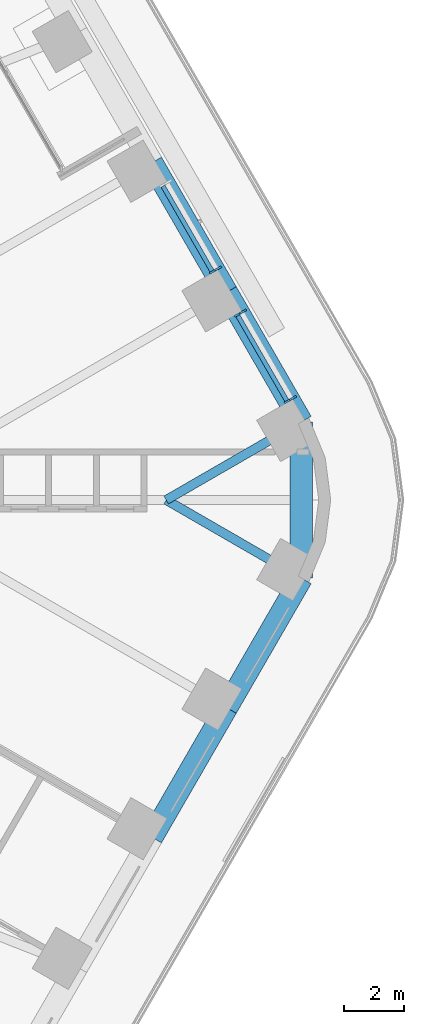
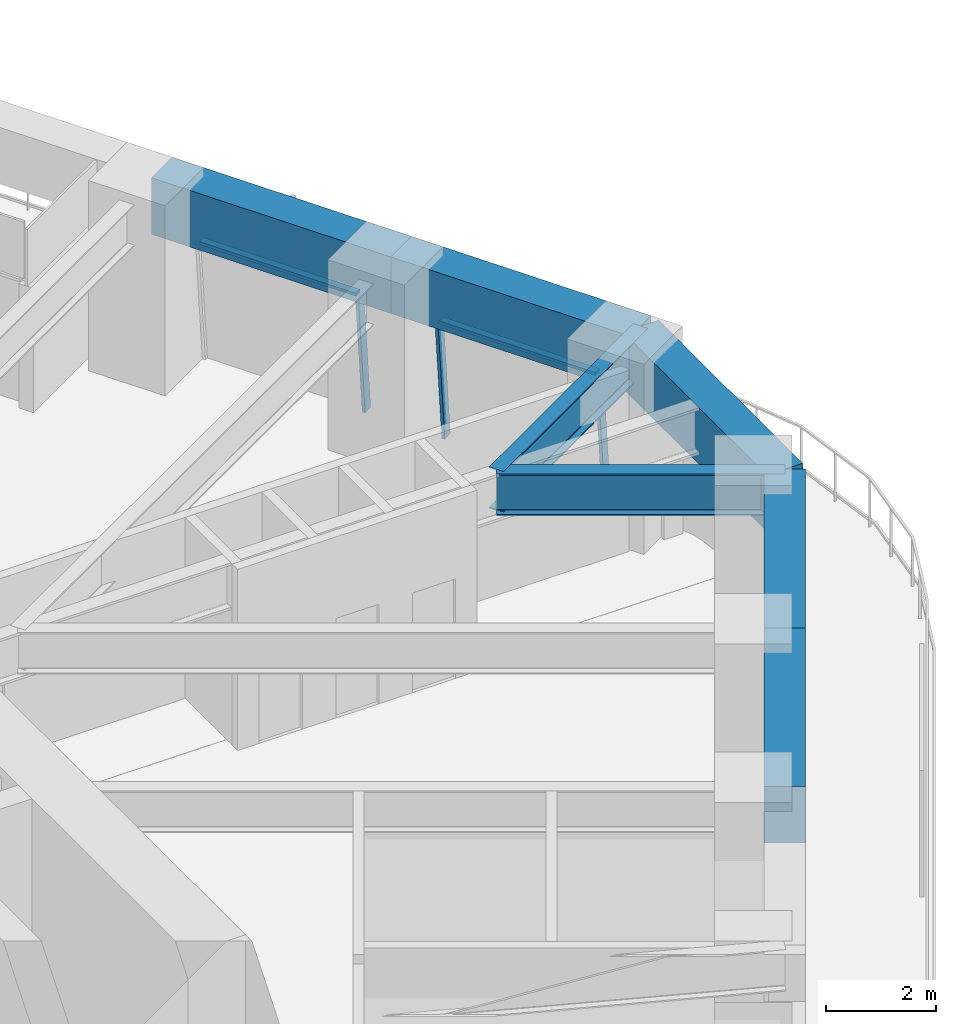
# One storey, part 14 of 24: 7 beams, 5 members, 2 elements without a shape of their own.
"""IFC4 building model written with IfcOpenShell, lengths in metres."""

from ifc_helpers import new_model, si_unit, direction, frame, origin, origin_2d, place, context, subcontext, project, spatial, rectangle, i_section, extrude, material, material_profile, profile_set, type_object, element, aggregate, save


model = new_model("IFC4")

# Units and contexts
model_context = context("Model", 3, precision=1e-05, world=origin(), true_north=direction((0.0, 1.0)))
body_context = subcontext(model_context, "Body", "Model", "MODEL_VIEW")
ifc_project = project(units=[si_unit("LENGTHUNIT", "METRE"), si_unit("AREAUNIT", "SQUARE_METRE"), si_unit("VOLUMEUNIT", "CUBIC_METRE"), si_unit("PLANEANGLEUNIT", "RADIAN"), si_unit("MASSUNIT", "GRAM", prefix="KILO")], contexts=[model_context])

# Site, building, storey
site_placement = place(None, origin())
site = spatial("IfcSite", under=ifc_project, at=site_placement, CompositionType="ELEMENT")
building_placement = place(site_placement, origin())
building = spatial("IfcBuilding", under=site, at=building_placement, Name="Tarfa Lantern Tower", CompositionType="ELEMENT")
storey_placement = place(building_placement, frame((0.0, 0.0, 169.89990234375)))
storey = spatial("IfcBuildingStorey", under=building, at=storey_placement, Name="L38", CompositionType="ELEMENT", Elevation=169.89990234375)

# Curtain wall, members
ifc_material_1 = material(Name="Aluminium framed curtain wall", Category="aluminium")
curtain_wall_type = type_object("IfcCurtainWallType", Name="CW2 CANTED GLAZING MID ZONE 2750", PredefinedType="USERDEFINED", material=ifc_material_1)
curtain_wall_1_placement = place(storey_placement, origin())
curtain_wall_1 = element("IfcCurtainWall", 1, at=curtain_wall_1_placement, inside=storey, type_object=curtain_wall_type, Name="CW2 NE L38", ObjectType="CURTAIN WALL", PredefinedType="USERDEFINED")
ifc_material_2 = material(Name="Aluminium mullion", Category="aluminium")
ifc_material_profile_1 = material_profile(ifc_material_2, rectangle(XDim=0.06494140625, YDim=0.199951171875, at=origin_2d()), Name="AL MULLION 65x200")
ifc_profile_set_1 = profile_set([ifc_material_profile_1], Name="Aluminium mullion")
member_type_1 = type_object("IfcMemberType", Name="CWM1 MULLION 65x200", PredefinedType="MULLION", material=ifc_profile_set_1)
member_1_placement = place(storey_placement, frame((34.282470703125, 3.4208984375, 0.0), z_axis=(-0.078422950161, -0.045267813396, 0.995891894715), x_axis=(0.499919672301, -0.866071776036, 0.0)))
member_1 = element("IfcMember", 2, at=member_1_placement, type_object=member_type_1, Name="CW2 mullion 1", PredefinedType="MULLION", context=body_context, shape_type="SweptSolid", body=[
    extrude(rectangle(XDim=0.06494140625, YDim=0.199951171875, at=origin_2d()), origin(), (0.0, 0.0, 1.0), 2.76123046875),
])
member_2_placement = place(storey_placement, frame((32.613037109375, 6.312255859375, 0.0), z_axis=(-0.078335079308, -0.045268127094, 0.995898796073), x_axis=(0.500342721131, -0.865827443207, 0.0)))
member_2 = element("IfcMember", 3, at=member_2_placement, type_object=member_type_1, Name="CW2 mullion 2", PredefinedType="MULLION", context=body_context, shape_type="SweptSolid", body=[
    extrude(rectangle(XDim=0.06494140625, YDim=0.199951171875, at=origin_2d()), origin(), (0.0, 0.0, 1.0), 2.76123046875),
])

# Curtain wall, member
curtain_wall_2_placement = place(storey_placement, origin())
curtain_wall_2 = element("IfcCurtainWall", 4, at=curtain_wall_2_placement, inside=storey, type_object=curtain_wall_type, Name="CW2 NE L38", ObjectType="CURTAIN WALL", PredefinedType="USERDEFINED")
member_3_placement = place(storey_placement, frame((31.78076171875, 7.75439453125, 0.0), z_axis=(-0.078422950161, -0.045267813396, 0.995891894715), x_axis=(0.499919672301, -0.866071776036, 0.0)))
member_3 = element("IfcMember", 5, at=member_3_placement, type_object=member_type_1, Name="CW2 mullion 1", PredefinedType="MULLION", context=body_context, shape_type="SweptSolid", body=[
    extrude(rectangle(XDim=0.06494140625, YDim=0.199951171875, at=origin_2d()), origin(), (0.0, 0.0, 1.0), 2.76123046875),
])

# Member
ifc_material_3 = material(Name="Aluminium transom", Category="aluminium")
ifc_material_profile_2 = material_profile(ifc_material_3, rectangle(XDim=0.14990234375, YDim=0.06494140625, at=origin_2d()), Name="AL TRANSOM 150x65")
ifc_profile_set_2 = profile_set([ifc_material_profile_2], Name="Aluminium transom")
member_type_2 = type_object("IfcMemberType", Name="CWT1 TRANSOM 150x65", PredefinedType="USERDEFINED", material=ifc_profile_set_2)
member_4_placement = place(storey_placement, frame((34.05224609375, 3.32568359375, 2.717529296875), z_axis=(-0.499989298045, 0.866031582473, 0.0), x_axis=(-0.866031582473, -0.499989298045, 0.0)))
member_4 = element("IfcMember", 6, at=member_4_placement, type_object=member_type_2, Name="CW2 transom 1.2", ObjectType="TRANSOM", PredefinedType="USERDEFINED", context=body_context, shape_type="SweptSolid", body=[
    extrude(rectangle(XDim=0.14990234375, YDim=0.06494140625, at=origin_2d()), origin(), (0.0, 0.0, 1.0), 3.2734375),
])

aggregate(curtain_wall_1, [member_1, member_2, member_4])

member_5_placement = place(storey_placement, frame((31.550537109375, 7.658935546875, 2.717529296875), z_axis=(-0.500012937857, 0.86601793398, 0.0), x_axis=(-0.86601793398, -0.500012937857, 0.0)))
member_5 = element("IfcMember", 7, at=member_5_placement, type_object=member_type_2, Name="CW2 transom 1.2", ObjectType="TRANSOM", PredefinedType="USERDEFINED", context=body_context, shape_type="SweptSolid", body=[
    extrude(rectangle(XDim=0.14990234375, YDim=0.06494140625, at=origin_2d()), origin(), (0.0, 0.0, 1.0), 3.27392578125),
])

aggregate(curtain_wall_2, [member_3, member_5])

# Beams
ifc_material_4 = material(Name="Concrete C80/95", Category="concrete")
ifc_material_profile_3 = material_profile(ifc_material_4, rectangle(XDim=0.75, YDim=1.25, at=origin_2d()), Name="RC 750x1250")
ifc_profile_set_3 = profile_set([ifc_material_profile_3], Name="Concrete C80/95")
beam_type_1 = type_object("IfcBeamType", Name="EB2 RC 750x1250", PredefinedType="SPANDREL", material=ifc_profile_set_3)
for number, where, z_axis, x_axis, name in (
    (8, (34.54296875, 2.610107421875, 3.375), (-0.500022324899, 0.866012514114, 0.0), (-0.866012514114, -0.500022324899, 0.0), "Edge beam NE0"),
    (9, (32.041015625, 6.943359375, 3.375), (-0.500022324899, 0.866012514114, 0.0), (-0.866012514114, -0.500022324899, 0.0), "Edge beam NE1"),
    (10, (29.5390625, -11.276611328125, 3.375), (0.500022324899, 0.866012514114, 0.0), (-0.866012514114, 0.500022324899, 0.0), "Edge beam SE4"),
    (11, (32.041015625, -6.943359375, 3.375), (0.500022324899, 0.866012514114, 0.0), (-0.866012514114, 0.500022324899, 0.0), "Edge beam SE5"),
):
    element("IfcBeam", number, at=place(storey_placement, frame(where, z_axis=z_axis, x_axis=x_axis)), inside=storey, type_object=beam_type_1, Name=name, PredefinedType="SPANDREL", context=body_context, shape_type="SweptSolid", body=[
        extrude(rectangle(XDim=0.75, YDim=1.25, at=origin_2d()), origin(), (0.0, 0.0, 1.0), 5.003662109375),
    ])
beam_placement = place(storey_placement, frame((34.54296875, -2.610107421875, 3.375), z_axis=(0.0, 1.0, 0.0), x_axis=(-1.0, 0.0, 0.0)))
element("IfcBeam", 12, at=beam_placement, inside=storey, type_object=beam_type_1, Name="Edge beam SE6", PredefinedType="SPANDREL", context=body_context, shape_type="SweptSolid", body=[
    extrude(rectangle(XDim=0.75, YDim=1.25, at=origin_2d()), origin(), (0.0, 0.0, 1.0), 5.22021484375),
])
ifc_material_5 = material(Name="Steel S460M", Category="steel")
ifc_material_profile_4 = material_profile(ifc_material_5, i_section(OverallWidth=0.305419921875, OverallDepth=0.91845703125, WebThickness=0.017333984375, FlangeThickness=0.02783203125, FilletRadius=0.01904296875, at=origin_2d()), Name="UB914x305x253")
ifc_profile_set_4 = profile_set([ifc_material_profile_4], Name="Steel S460M")
beam_type_2 = type_object("IfcBeamType", Name="UB914x305x253", PredefinedType="BEAM", material=ifc_profile_set_4)
for number, where, z_axis, x_axis, name in (
    (13, (34.54296875, 2.610107421875, 3.541015625), (-0.866021250859, -0.500007193008, 0.0), (0.500007193008, -0.866021250859, 0.0), "Floor beam NE0"),
    (14, (34.54296875, -2.610107421875, 3.541015625), (-0.866021250859, 0.500007193008, 0.0), (-0.500007193008, -0.866021250859, 0.0), "Floor beam SE6"),
):
    element("IfcBeam", number, at=place(storey_placement, frame(where, z_axis=z_axis, x_axis=x_axis)), inside=storey, type_object=beam_type_2, Name=name, PredefinedType="BEAM", context=body_context, shape_type="SweptSolid", body=[
        extrude(i_section(OverallWidth=0.305419921875, OverallDepth=0.91845703125, WebThickness=0.017333984375, FlangeThickness=0.02783203125, FilletRadius=0.01904296875, at=origin_2d()), origin(), (0.0, 0.0, 1.0), 5.22021484375),
    ])

save(model, "model.ifc")
